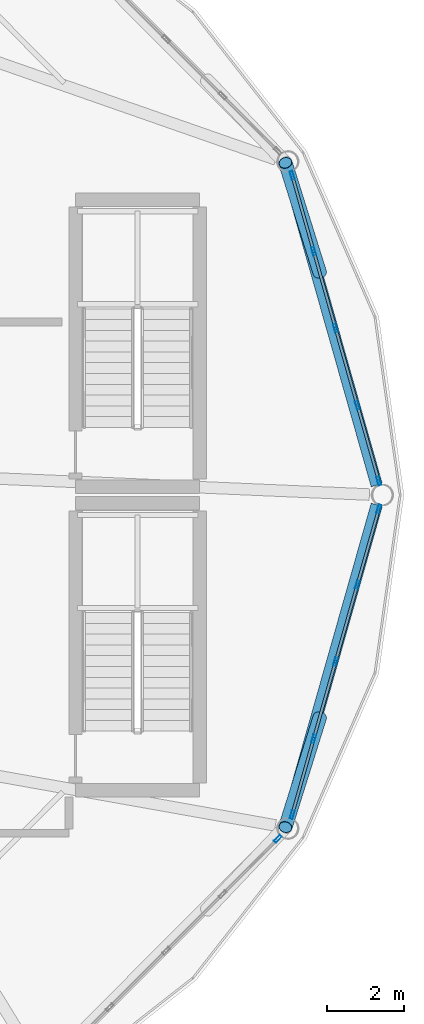
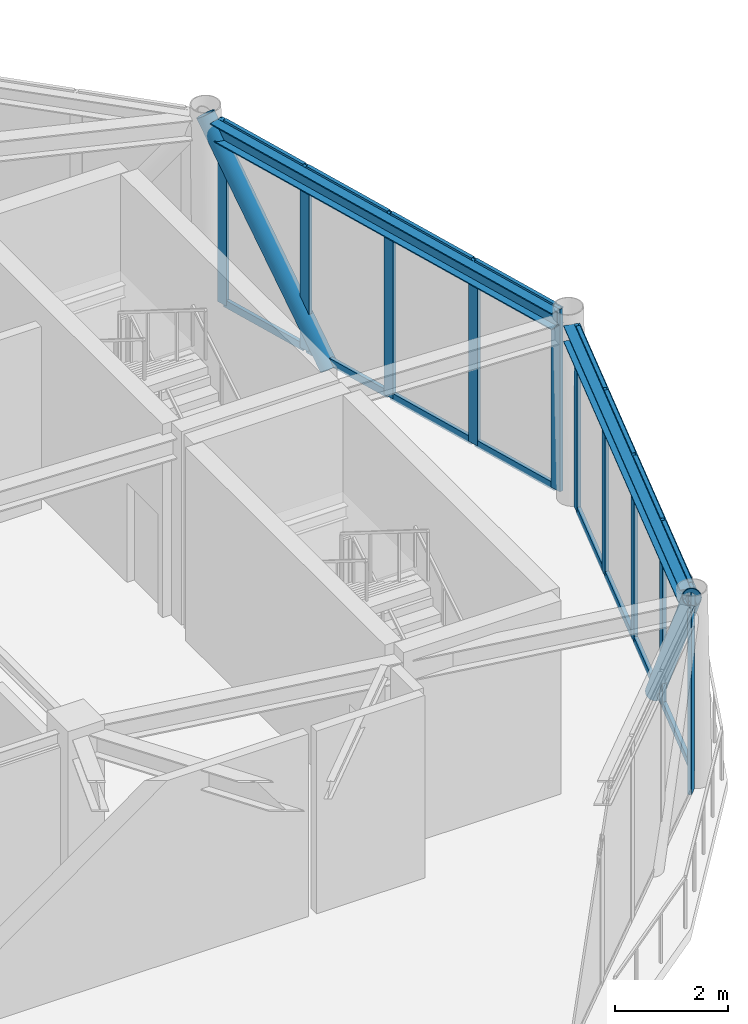
# One storey, part 12 of 20: 29 members, 2 beams, 3 elements without a shape of their own.
"""IFC4 building model written with IfcOpenShell, lengths in metres."""

from ifc_helpers import new_model, si_unit, direction, frame, origin, origin_2d, place, context, subcontext, project, spatial, hollow_rectangle, hollow_circle, i_section, extrude, material, layer, layer_set, material_profile, profile_set, type_object, element, aggregate, save


model = new_model("IFC4")

# Units and contexts
model_context = context("Model", 3, precision=1e-05, world=origin(), true_north=direction((0.0, 1.0)))
body_context = subcontext(model_context, "Body", "Model", "MODEL_VIEW")
ifc_project = project(units=[si_unit("LENGTHUNIT", "METRE"), si_unit("AREAUNIT", "SQUARE_METRE"), si_unit("VOLUMEUNIT", "CUBIC_METRE"), si_unit("PLANEANGLEUNIT", "RADIAN"), si_unit("MASSUNIT", "GRAM", prefix="KILO")], contexts=[model_context])

# Site, building, storey
site_placement = place(None, origin())
site = spatial("IfcSite", under=ifc_project, at=site_placement, CompositionType="ELEMENT")
building_placement = place(site_placement, origin())
building = spatial("IfcBuilding", under=site, at=building_placement, Name="Varnakorn Sky Granary", CompositionType="ELEMENT")
storey_placement = place(building_placement, frame((0.0, 0.0, 302.39990234375)))
storey = spatial("IfcBuildingStorey", under=building, at=storey_placement, Name="L77", CompositionType="ELEMENT", Elevation=302.39990234375)

# Beams
ifc_material_1 = material(Name="Steel S355JR", Category="steel")
ifc_material_profile_1 = material_profile(ifc_material_1, i_section(OverallWidth=0.300048828125, OverallDepth=0.360107421875, WebThickness=0.012451171875, FlangeThickness=0.0224609375, at=origin_2d()), Name="HE 360 B")
ifc_profile_set_1 = profile_set([ifc_material_profile_1], Name="Steel S355JR")
beam_type = type_object("IfcBeamType", Name="BM-SPD-Z5", PredefinedType="SPANDREL", material=ifc_profile_set_1)
for number, where, z_axis, x_axis, name in (
    (1, (22.184814453125, 0.25439453125, 3.780029296875), (-0.272713551322, 0.962095275389, 0.0), (-0.962095275389, -0.272713551322, 0.0), "Perimeter Spandrel Ring Beam RB01 L77"),
    (2, (19.880126953125, -8.385009765625, 3.780029296875), (0.272713551322, 0.962095275389, 0.0), (-0.962095275389, 0.272713551322, 0.0), "Perimeter Spandrel Ring Beam RB12 L77"),
):
    element("IfcBeam", number, at=place(storey_placement, frame(where, z_axis=z_axis, x_axis=x_axis)), inside=storey, type_object=beam_type, Name=name, PredefinedType="SPANDREL", context=body_context, shape_type="SweptSolid", body=[
        extrude(i_section(OverallWidth=0.300048828125, OverallDepth=0.360107421875, WebThickness=0.012451171875, FlangeThickness=0.0224609375, at=origin_2d()), origin(), (0.0, 0.0, 1.0), 8.450927734375),
    ])

# Curtain wall, members
ifc_material_2 = material(Name="Anodised Bronze Aluminium Alloy 6063-T6", Category="aluminium")
ifc_layer = layer(ifc_material_2, 0.22998046875, Name="Anodised Bronze Aluminium Alloy 6063-T6")
ifc_layer_set = layer_set([ifc_layer], Name="Anodised Bronze Aluminium Alloy 6063-T6")
curtain_wall_type = type_object("IfcCurtainWallType", Name="CW-LNT-1", PredefinedType="USERDEFINED", material=ifc_layer_set)
curtain_wall_1_placement = place(storey_placement, origin())
curtain_wall_1 = element("IfcCurtainWall", 3, at=curtain_wall_1_placement, inside=storey, type_object=curtain_wall_type, Name="Unitised Curtain Wall CW7 CW-L77-B01", ObjectType="CURTAIN WALL", PredefinedType="USERDEFINED")
ifc_material_profile_2 = material_profile(ifc_material_2, hollow_rectangle(XDim=0.074951171875, YDim=0.219970703125, WallThickness=0.00390625, at=origin_2d()), Name="ALU MULL 75x220")
ifc_profile_set_2 = profile_set([ifc_material_profile_2], Name="Anodised Bronze Aluminium Alloy 6063-T6")
member_type_1 = type_object("IfcMemberType", Name="CW-LNT-1-MULL", PredefinedType="MULLION", material=ifc_profile_set_2)
member_1_placement = place(storey_placement, frame((19.9853515625, 8.312744140625, 0.0), z_axis=(0.0, 0.0, 1.0), x_axis=(0.962053878188, 0.272859552634, 0.0)))
member_1 = element("IfcMember", 4, at=member_1_placement, type_object=member_type_1, Name="CW7 mullion 1", PredefinedType="MULLION", context=body_context, shape_type="SweptSolid", body=[
    extrude(hollow_rectangle(XDim=0.074951171875, YDim=0.219970703125, WallThickness=0.00390625, at=origin_2d()), origin(), (0.0, 0.0, 1.0), 3.960205078125),
])
member_2_placement = place(storey_placement, frame((20.5439453125, 6.34326171875, 0.0), z_axis=(0.0, 0.0, 1.0), x_axis=(0.962053878188, 0.272859552634, 0.0)))
member_2 = element("IfcMember", 5, at=member_2_placement, type_object=member_type_1, Name="CW7 mullion 2", PredefinedType="MULLION", context=body_context, shape_type="SweptSolid", body=[
    extrude(hollow_rectangle(XDim=0.074951171875, YDim=0.219970703125, WallThickness=0.00390625, at=origin_2d()), origin(), (0.0, 0.0, 1.0), 3.960205078125),
])
member_3_placement = place(storey_placement, frame((21.11279296875, 4.337646484375, 0.0), z_axis=(0.0, 0.0, 1.0), x_axis=(0.962053878188, 0.272859552634, 0.0)))
member_3 = element("IfcMember", 6, at=member_3_placement, type_object=member_type_1, Name="CW7 mullion 3", PredefinedType="MULLION", context=body_context, shape_type="SweptSolid", body=[
    extrude(hollow_rectangle(XDim=0.074951171875, YDim=0.219970703125, WallThickness=0.00390625, at=origin_2d()), origin(), (0.0, 0.0, 1.0), 3.960205078125),
])
member_4_placement = place(storey_placement, frame((21.681640625, 2.332275390625, 0.0), z_axis=(0.0, 0.0, 1.0), x_axis=(0.962053878188, 0.272859552634, 0.0)))
member_4 = element("IfcMember", 7, at=member_4_placement, type_object=member_type_1, Name="CW7 mullion 4", PredefinedType="MULLION", context=body_context, shape_type="SweptSolid", body=[
    extrude(hollow_rectangle(XDim=0.074951171875, YDim=0.219970703125, WallThickness=0.00390625, at=origin_2d()), origin(), (0.0, 0.0, 1.0), 3.960205078125),
])
member_5_placement = place(storey_placement, frame((22.240234375, 0.36279296875, 0.0), z_axis=(0.0, 0.0, 1.0), x_axis=(0.962053878188, 0.272859552634, 0.0)))
member_5 = element("IfcMember", 8, at=member_5_placement, type_object=member_type_1, Name="CW7 mullion 5", PredefinedType="MULLION", context=body_context, shape_type="SweptSolid", body=[
    extrude(hollow_rectangle(XDim=0.074951171875, YDim=0.219970703125, WallThickness=0.00390625, at=origin_2d()), origin(), (0.0, 0.0, 1.0), 3.960205078125),
])

# Curtain wall, member
curtain_wall_2_placement = place(storey_placement, origin())
curtain_wall_2 = element("IfcCurtainWall", 9, at=curtain_wall_2_placement, inside=storey, type_object=curtain_wall_type, Name="Unitised Curtain Wall CW7 CW-L77-B11", ObjectType="CURTAIN WALL", PredefinedType="USERDEFINED")
member_6_placement = place(storey_placement, frame((19.615966796875, -8.94189453125, 0.0), z_axis=(0.0, 0.0, 1.0), x_axis=(0.706962264777, -0.707251268066, 0.0)))
member_6 = element("IfcMember", 10, at=member_6_placement, type_object=member_type_1, Name="CW7 mullion 1", PredefinedType="MULLION", context=body_context, shape_type="SweptSolid", body=[
    extrude(hollow_rectangle(XDim=0.074951171875, YDim=0.219970703125, WallThickness=0.00390625, at=origin_2d()), origin(), (0.0, 0.0, 1.0), 3.960205078125),
])
aggregate(curtain_wall_2, [member_6])

# Curtain wall, members
curtain_wall_3_placement = place(storey_placement, origin())
curtain_wall_3 = element("IfcCurtainWall", 11, at=curtain_wall_3_placement, inside=storey, type_object=curtain_wall_type, Name="Unitised Curtain Wall CW7 CW-L77-B12", ObjectType="CURTAIN WALL", PredefinedType="USERDEFINED")
member_7_placement = place(storey_placement, frame((22.240234375, -0.36279296875, 0.0), z_axis=(0.0, 0.0, 1.0), x_axis=(0.962053878188, -0.272859552634, 0.0)))
member_7 = element("IfcMember", 12, at=member_7_placement, type_object=member_type_1, Name="CW7 mullion 1", PredefinedType="MULLION", context=body_context, shape_type="SweptSolid", body=[
    extrude(hollow_rectangle(XDim=0.074951171875, YDim=0.219970703125, WallThickness=0.00390625, at=origin_2d()), origin(), (0.0, 0.0, 1.0), 3.960205078125),
])
member_8_placement = place(storey_placement, frame((21.681640625, -2.332275390625, 0.0), z_axis=(0.0, 0.0, 1.0), x_axis=(0.962053878188, -0.272859552634, 0.0)))
member_8 = element("IfcMember", 13, at=member_8_placement, type_object=member_type_1, Name="CW7 mullion 2", PredefinedType="MULLION", context=body_context, shape_type="SweptSolid", body=[
    extrude(hollow_rectangle(XDim=0.074951171875, YDim=0.219970703125, WallThickness=0.00390625, at=origin_2d()), origin(), (0.0, 0.0, 1.0), 3.960205078125),
])
member_9_placement = place(storey_placement, frame((21.11279296875, -4.337646484375, 0.0), z_axis=(0.0, 0.0, 1.0), x_axis=(0.962053878188, -0.272859552634, 0.0)))
member_9 = element("IfcMember", 14, at=member_9_placement, type_object=member_type_1, Name="CW7 mullion 3", PredefinedType="MULLION", context=body_context, shape_type="SweptSolid", body=[
    extrude(hollow_rectangle(XDim=0.074951171875, YDim=0.219970703125, WallThickness=0.00390625, at=origin_2d()), origin(), (0.0, 0.0, 1.0), 3.960205078125),
])
member_10_placement = place(storey_placement, frame((20.5439453125, -6.34326171875, 0.0), z_axis=(0.0, 0.0, 1.0), x_axis=(0.962053878188, -0.272859552634, 0.0)))
member_10 = element("IfcMember", 15, at=member_10_placement, type_object=member_type_1, Name="CW7 mullion 4", PredefinedType="MULLION", context=body_context, shape_type="SweptSolid", body=[
    extrude(hollow_rectangle(XDim=0.074951171875, YDim=0.219970703125, WallThickness=0.00390625, at=origin_2d()), origin(), (0.0, 0.0, 1.0), 3.960205078125),
])
member_11_placement = place(storey_placement, frame((19.9853515625, -8.312744140625, 0.0), z_axis=(0.0, 0.0, 1.0), x_axis=(0.962053878188, -0.272859552634, 0.0)))
member_11 = element("IfcMember", 16, at=member_11_placement, type_object=member_type_1, Name="CW7 mullion 5", PredefinedType="MULLION", context=body_context, shape_type="SweptSolid", body=[
    extrude(hollow_rectangle(XDim=0.074951171875, YDim=0.219970703125, WallThickness=0.00390625, at=origin_2d()), origin(), (0.0, 0.0, 1.0), 3.960205078125),
])

# Member
ifc_material_profile_3 = material_profile(ifc_material_2, hollow_rectangle(XDim=0.074951171875, YDim=0.159912109375, WallThickness=0.00390625, at=origin_2d()), Name="ALU TRAN 75x160")
ifc_profile_set_3 = profile_set([ifc_material_profile_3], Name="Anodised Bronze Aluminium Alloy 6063-T6")
member_type_2 = type_object("IfcMemberType", Name="CW-LNT-1-TRAN", PredefinedType="USERDEFINED", material=ifc_profile_set_3)
member_12_placement = place(storey_placement, frame((19.99560546875, 8.27685546875, 0.03759765625), z_axis=(0.272824100275, -0.962063932548, 0.0), x_axis=(0.962063932548, 0.272824100275, 0.0)))
member_12 = element("IfcMember", 17, at=member_12_placement, type_object=member_type_2, Name="CW7 transom 1.1", ObjectType="TRANSOM", PredefinedType="USERDEFINED", context=body_context, shape_type="SweptSolid", body=[
    extrude(hollow_rectangle(XDim=0.074951171875, YDim=0.159912109375, WallThickness=0.00390625, at=origin_2d()), origin(), (0.0, 0.0, 1.0), 1.97216796875),
])

member_13_placement = place(storey_placement, frame((19.99560546875, 8.27685546875, 3.922607421875), z_axis=(0.272824100275, -0.962063932548, 0.0), x_axis=(0.962063932548, 0.272824100275, 0.0)))
member_13 = element("IfcMember", 18, at=member_13_placement, type_object=member_type_2, Name="CW7 transom 1.2", ObjectType="TRANSOM", PredefinedType="USERDEFINED", context=body_context, shape_type="SweptSolid", body=[
    extrude(hollow_rectangle(XDim=0.074951171875, YDim=0.159912109375, WallThickness=0.00390625, at=origin_2d()), origin(), (0.0, 0.0, 1.0), 1.97216796875),
])

member_14_placement = place(storey_placement, frame((20.55419921875, 6.30712890625, 0.03759765625), z_axis=(0.272859343787, -0.962053937421, 0.0), x_axis=(0.962053937421, 0.272859343787, 0.0)))
member_14 = element("IfcMember", 19, at=member_14_placement, type_object=member_type_2, Name="CW7 transom 2.1", ObjectType="TRANSOM", PredefinedType="USERDEFINED", context=body_context, shape_type="SweptSolid", body=[
    extrude(hollow_rectangle(XDim=0.074951171875, YDim=0.159912109375, WallThickness=0.00390625, at=origin_2d()), origin(), (0.0, 0.0, 1.0), 2.009521484375),
])

member_15_placement = place(storey_placement, frame((20.55419921875, 6.30712890625, 3.922607421875), z_axis=(0.272859343787, -0.962053937421, 0.0), x_axis=(0.962053937421, 0.272859343787, 0.0)))
member_15 = element("IfcMember", 20, at=member_15_placement, type_object=member_type_2, Name="CW7 transom 2.2", ObjectType="TRANSOM", PredefinedType="USERDEFINED", context=body_context, shape_type="SweptSolid", body=[
    extrude(hollow_rectangle(XDim=0.074951171875, YDim=0.159912109375, WallThickness=0.00390625, at=origin_2d()), origin(), (0.0, 0.0, 1.0), 2.009521484375),
])

member_16_placement = place(storey_placement, frame((21.123046875, 4.3017578125, 0.03759765625), z_axis=(0.272827456423, -0.962062980798, 0.0), x_axis=(0.962062980798, 0.272827456423, 0.0)))
member_16 = element("IfcMember", 21, at=member_16_placement, type_object=member_type_2, Name="CW7 transom 3.1", ObjectType="TRANSOM", PredefinedType="USERDEFINED", context=body_context, shape_type="SweptSolid", body=[
    extrude(hollow_rectangle(XDim=0.074951171875, YDim=0.159912109375, WallThickness=0.00390625, at=origin_2d()), origin(), (0.0, 0.0, 1.0), 2.009765625),
])

member_17_placement = place(storey_placement, frame((21.123046875, 4.3017578125, 3.922607421875), z_axis=(0.272827456423, -0.962062980798, 0.0), x_axis=(0.962062980798, 0.272827456423, 0.0)))
member_17 = element("IfcMember", 22, at=member_17_placement, type_object=member_type_2, Name="CW7 transom 3.2", ObjectType="TRANSOM", PredefinedType="USERDEFINED", context=body_context, shape_type="SweptSolid", body=[
    extrude(hollow_rectangle(XDim=0.074951171875, YDim=0.159912109375, WallThickness=0.00390625, at=origin_2d()), origin(), (0.0, 0.0, 1.0), 2.009765625),
])

member_18_placement = place(storey_placement, frame((21.69189453125, 2.296142578125, 0.03759765625), z_axis=(0.272824100275, -0.962063932548, 0.0), x_axis=(0.962063932548, 0.272824100275, 0.0)))
member_18 = element("IfcMember", 23, at=member_18_placement, type_object=member_type_2, Name="CW7 transom 4.1", ObjectType="TRANSOM", PredefinedType="USERDEFINED", context=body_context, shape_type="SweptSolid", body=[
    extrude(hollow_rectangle(XDim=0.074951171875, YDim=0.159912109375, WallThickness=0.00390625, at=origin_2d()), origin(), (0.0, 0.0, 1.0), 1.97216796875),
])

member_19_placement = place(storey_placement, frame((21.69189453125, 2.296142578125, 3.922607421875), z_axis=(0.272824100275, -0.962063932548, 0.0), x_axis=(0.962063932548, 0.272824100275, 0.0)))
member_19 = element("IfcMember", 24, at=member_19_placement, type_object=member_type_2, Name="CW7 transom 4.2", ObjectType="TRANSOM", PredefinedType="USERDEFINED", context=body_context, shape_type="SweptSolid", body=[
    extrude(hollow_rectangle(XDim=0.074951171875, YDim=0.159912109375, WallThickness=0.00390625, at=origin_2d()), origin(), (0.0, 0.0, 1.0), 1.97216796875),
])

aggregate(curtain_wall_1, [member_1, member_2, member_3, member_4, member_5, member_12, member_13, member_14, member_15, member_16, member_17, member_18, member_19])

member_20_placement = place(storey_placement, frame((22.22998046875, -0.398681640625, 0.03759765625), z_axis=(-0.272824100275, -0.962063932548, 0.0), x_axis=(0.962063932548, -0.272824100275, 0.0)))
member_20 = element("IfcMember", 25, at=member_20_placement, type_object=member_type_2, Name="CW7 transom 1.1", ObjectType="TRANSOM", PredefinedType="USERDEFINED", context=body_context, shape_type="SweptSolid", body=[
    extrude(hollow_rectangle(XDim=0.074951171875, YDim=0.159912109375, WallThickness=0.00390625, at=origin_2d()), origin(), (0.0, 0.0, 1.0), 1.97216796875),
])

member_21_placement = place(storey_placement, frame((22.22998046875, -0.398681640625, 3.922607421875), z_axis=(-0.272824100275, -0.962063932548, 0.0), x_axis=(0.962063932548, -0.272824100275, 0.0)))
member_21 = element("IfcMember", 26, at=member_21_placement, type_object=member_type_2, Name="CW7 transom 1.2", ObjectType="TRANSOM", PredefinedType="USERDEFINED", context=body_context, shape_type="SweptSolid", body=[
    extrude(hollow_rectangle(XDim=0.074951171875, YDim=0.159912109375, WallThickness=0.00390625, at=origin_2d()), origin(), (0.0, 0.0, 1.0), 1.97216796875),
])

member_22_placement = place(storey_placement, frame((21.67138671875, -2.3681640625, 0.03759765625), z_axis=(-0.272827456423, -0.962062980798, 0.0), x_axis=(0.962062980798, -0.272827456423, 0.0)))
member_22 = element("IfcMember", 27, at=member_22_placement, type_object=member_type_2, Name="CW7 transom 2.1", ObjectType="TRANSOM", PredefinedType="USERDEFINED", context=body_context, shape_type="SweptSolid", body=[
    extrude(hollow_rectangle(XDim=0.074951171875, YDim=0.159912109375, WallThickness=0.00390625, at=origin_2d()), origin(), (0.0, 0.0, 1.0), 2.009765625),
])

member_23_placement = place(storey_placement, frame((21.67138671875, -2.3681640625, 3.922607421875), z_axis=(-0.272827456423, -0.962062980798, 0.0), x_axis=(0.962062980798, -0.272827456423, 0.0)))
member_23 = element("IfcMember", 28, at=member_23_placement, type_object=member_type_2, Name="CW7 transom 2.2", ObjectType="TRANSOM", PredefinedType="USERDEFINED", context=body_context, shape_type="SweptSolid", body=[
    extrude(hollow_rectangle(XDim=0.074951171875, YDim=0.159912109375, WallThickness=0.00390625, at=origin_2d()), origin(), (0.0, 0.0, 1.0), 2.009765625),
])

member_24_placement = place(storey_placement, frame((21.1025390625, -4.373779296875, 0.03759765625), z_axis=(-0.272859343787, -0.962053937421, 0.0), x_axis=(0.962053937421, -0.272859343787, 0.0)))
member_24 = element("IfcMember", 29, at=member_24_placement, type_object=member_type_2, Name="CW7 transom 3.1", ObjectType="TRANSOM", PredefinedType="USERDEFINED", context=body_context, shape_type="SweptSolid", body=[
    extrude(hollow_rectangle(XDim=0.074951171875, YDim=0.159912109375, WallThickness=0.00390625, at=origin_2d()), origin(), (0.0, 0.0, 1.0), 2.009521484375),
])

member_25_placement = place(storey_placement, frame((21.1025390625, -4.373779296875, 3.922607421875), z_axis=(-0.272859343787, -0.962053937421, 0.0), x_axis=(0.962053937421, -0.272859343787, 0.0)))
member_25 = element("IfcMember", 30, at=member_25_placement, type_object=member_type_2, Name="CW7 transom 3.2", ObjectType="TRANSOM", PredefinedType="USERDEFINED", context=body_context, shape_type="SweptSolid", body=[
    extrude(hollow_rectangle(XDim=0.074951171875, YDim=0.159912109375, WallThickness=0.00390625, at=origin_2d()), origin(), (0.0, 0.0, 1.0), 2.009521484375),
])

member_26_placement = place(storey_placement, frame((20.53369140625, -6.37939453125, 0.03759765625), z_axis=(-0.272824100275, -0.962063932548, 0.0), x_axis=(0.962063932548, -0.272824100275, 0.0)))
member_26 = element("IfcMember", 31, at=member_26_placement, type_object=member_type_2, Name="CW7 transom 4.1", ObjectType="TRANSOM", PredefinedType="USERDEFINED", context=body_context, shape_type="SweptSolid", body=[
    extrude(hollow_rectangle(XDim=0.074951171875, YDim=0.159912109375, WallThickness=0.00390625, at=origin_2d()), origin(), (0.0, 0.0, 1.0), 1.97216796875),
])

member_27_placement = place(storey_placement, frame((20.53369140625, -6.37939453125, 3.922607421875), z_axis=(-0.272824100275, -0.962063932548, 0.0), x_axis=(0.962063932548, -0.272824100275, 0.0)))
member_27 = element("IfcMember", 32, at=member_27_placement, type_object=member_type_2, Name="CW7 transom 4.2", ObjectType="TRANSOM", PredefinedType="USERDEFINED", context=body_context, shape_type="SweptSolid", body=[
    extrude(hollow_rectangle(XDim=0.074951171875, YDim=0.159912109375, WallThickness=0.00390625, at=origin_2d()), origin(), (0.0, 0.0, 1.0), 1.97216796875),
])

aggregate(curtain_wall_3, [member_7, member_8, member_9, member_10, member_11, member_20, member_21, member_22, member_23, member_24, member_25, member_26, member_27])

# Members
ifc_material_3 = material(Name="Steel S460M", Category="steel")
ifc_material_profile_4 = material_profile(ifc_material_3, hollow_circle(Radius=0.177734375, WallThickness=0.01416015625, at=origin_2d()), Name="CHS 355.6x14")
ifc_profile_set_4 = profile_set([ifc_material_profile_4], Name="Steel S460M")
member_type_3 = type_object("IfcMemberType", Name="MB-DIAG-T5", PredefinedType="BRACE", material=ifc_profile_set_4)
for number, where, z_axis, x_axis, name in (
    (33, (20.70263671875, 5.78369140625, -0.1298828125), (-0.176507567804, 0.563484994706, 0.807050022767), (-0.954277979269, -0.298920622043, 0.0), "Perimeter CHS Diagrid Brace DG01 L77"),
    (34, (20.70263671875, -5.78369140625, -0.1298828125), (-0.176507567804, -0.563484994706, 0.807050022767), (0.954277979269, -0.298920622043, 0.0), "Perimeter CHS Diagrid Brace DG12 L77"),
):
    element("IfcMember", number, at=place(storey_placement, frame(where, z_axis=z_axis, x_axis=x_axis)), inside=storey, type_object=member_type_3, Name=name, PredefinedType="BRACE", context=body_context, shape_type="SweptSolid", body=[
        extrude(hollow_circle(Radius=0.177734375, WallThickness=0.01416015625, at=origin_2d()), origin(), (0.0, 0.0, 1.0), 5.06787109375),
    ])

save(model, "model.ifc")
